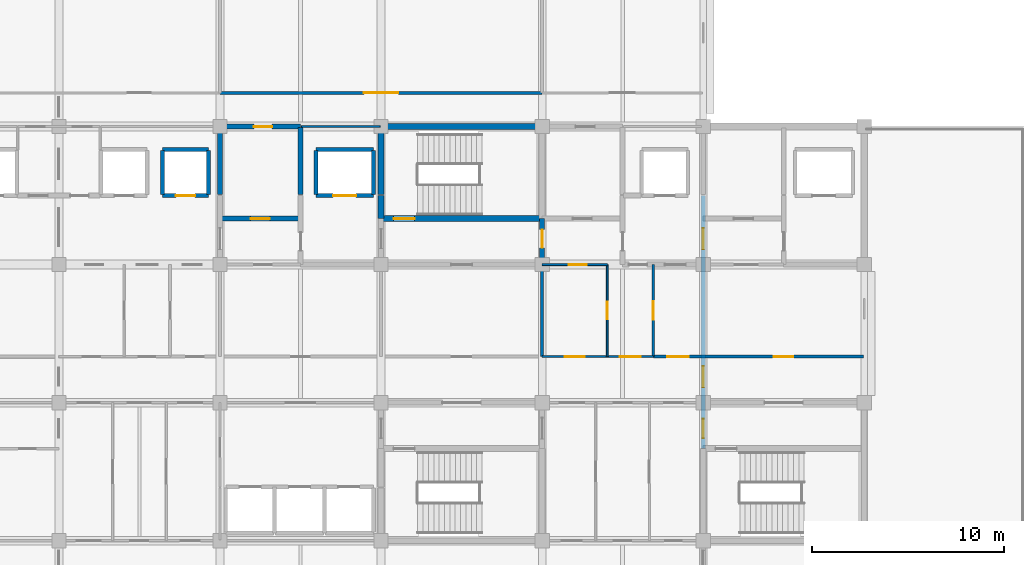
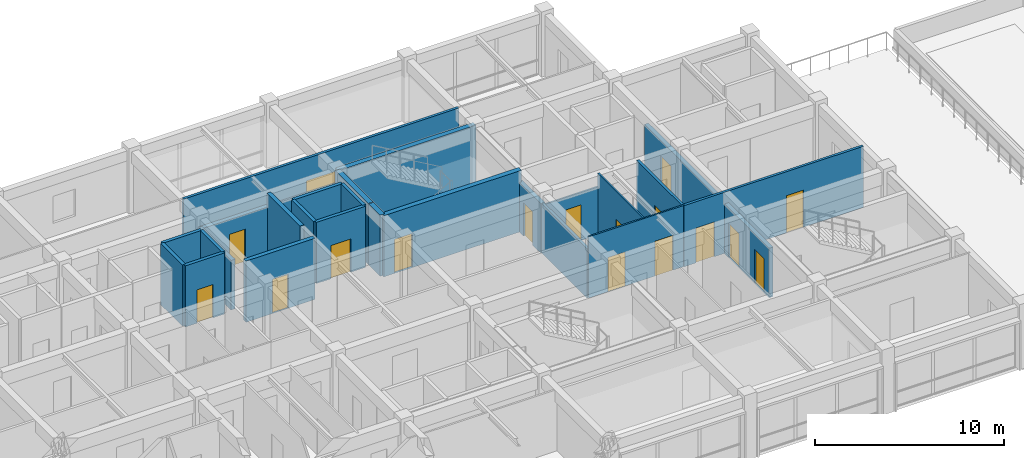
# One storey, part 21 of 27: 26 walls, 17 doors, 17 openings.
"""IFC4 building model written with IfcOpenShell, lengths in metres."""

from ifc_helpers import new_model, si_unit, direction, frame, frame_2d, origin, place, context, subcontext, project, spatial, rectangle, extrude, material, layer, layer_set, type_object, element, fill, save


model = new_model("IFC4")

# Units and contexts
model_context = context("Model", 3, precision=1e-05, world=origin(), true_north=direction((0.0, 1.0)))
body_context = subcontext(model_context, "Body", "Model", "MODEL_VIEW")
ifc_project = project(units=[si_unit("LENGTHUNIT", "METRE"), si_unit("AREAUNIT", "SQUARE_METRE"), si_unit("VOLUMEUNIT", "CUBIC_METRE"), si_unit("PLANEANGLEUNIT", "RADIAN"), si_unit("MASSUNIT", "GRAM", prefix="KILO")], contexts=[model_context])

# Site, building, storey
site_placement = place(None, origin())
site = spatial("IfcSite", under=ifc_project, at=site_placement, CompositionType="ELEMENT")
building_placement = place(site_placement, origin())
building = spatial("IfcBuilding", under=site, at=building_placement, Name="Chengyuan Square Courthouse", CompositionType="ELEMENT")
storey_placement = place(building_placement, frame((0.0, 0.0, 35.10009765625)))
storey = spatial("IfcBuildingStorey", under=building, at=storey_placement, Name="L08", CompositionType="ELEMENT", Elevation=35.10009765625)

# Wall, opening, door
ifc_material_1 = material(Name="Concrete C40", Category="concrete")
ifc_layer_1 = layer(ifc_material_1, 0.25)
ifc_layer_set_1 = layer_set([ifc_layer_1], Name="Concrete C40")
wall_type_1 = type_object("IfcWallType", Name="WL-FW1", PredefinedType="STANDARD", material=ifc_layer_set_1)
wall_1_placement = place(storey_placement, frame((92.39990234375, 103.199951171875, 0.0), z_axis=(0.0, 0.0, 1.0), x_axis=(1.0, 0.0, 0.0)))
wall_1 = element("IfcWall", 1, at=wall_1_placement, inside=storey, type_object=wall_type_1, Name="Interior Wall WL-L08-I2933", PredefinedType="STANDARD", context=body_context, shape_type="SweptSolid", body=[
    extrude(rectangle(XDim=4.2001953125, YDim=0.25, at=frame_2d((2.10009765625, 0.0))), origin(), (0.0, 0.0, 1.0), 3.949951171875),
])
opening_1_placement = place(wall_1_placement, frame((1.60009765625, 0.0, 0.0)))
opening_1 = element("IfcOpeningElement", 2, at=opening_1_placement, cuts=wall_1, Name="Opening DR-2522", PredefinedType="OPENING", context=body_context, shape_type="SweptSolid", body=[
    extrude(rectangle(XDim=1.0, YDim=2.199951171875, at=frame_2d((0.5, 1.10009765625))), frame((0.0, 0.136962890625, 0.0), z_axis=(0.0, -1.0, 0.0), x_axis=(1.0, 0.0, 0.0)), (0.0, 0.0, 1.0), 0.27392578125),
])
ifc_material_2 = material(Name="Steel Q235B Fire Door", Category="steel")
door_type_1 = type_object("IfcDoorType", Name="DT-11", OperationType="NOTDEFINED", PredefinedType="DOOR", material=ifc_material_2)
door_1_placement = place(opening_1_placement, origin())
door_1 = element("IfcDoor", 3, at=door_1_placement, inside=storey, type_object=door_type_1, Name="Interior Door DR-2522", OperationType="SINGLE_SWING_RIGHT", OverallHeight=2.199951171875, OverallWidth=1.0, PredefinedType="DOOR", context=body_context, shape_type="SweptSolid", body=[
    extrude(rectangle(XDim=1.0, YDim=2.199951171875, at=frame_2d((0.5, 1.10009765625))), frame((0.0, 0.02490234375, 0.0), z_axis=(0.0, -1.0, 0.0), x_axis=(1.0, 0.0, 0.0)), (0.0, 0.0, 1.0), 0.050048828125),
])
fill(opening_1, door_1)

wall_2_placement = place(storey_placement, frame((92.39990234375, 108.0, 0.0), z_axis=(0.0, 0.0, 1.0), x_axis=(1.0, 0.0, 0.0)))
wall_2 = element("IfcWall", 4, at=wall_2_placement, inside=storey, type_object=wall_type_1, Name="Interior Wall WL-L08-I2968", PredefinedType="STANDARD", context=body_context, shape_type="SweptSolid", body=[
    extrude(rectangle(XDim=4.2001953125, YDim=0.25, at=frame_2d((2.10009765625, 0.0))), origin(), (0.0, 0.0, 1.0), 3.099853515625),
])
opening_2_placement = place(wall_2_placement, frame((1.7724609375, 0.0, 0.0)))
opening_2 = element("IfcOpeningElement", 5, at=opening_2_placement, cuts=wall_2, Name="Opening DR-2526", PredefinedType="OPENING", context=body_context, shape_type="SweptSolid", body=[
    extrude(rectangle(XDim=0.949951171875, YDim=2.14990234375, at=frame_2d((0.47509765625, 1.074951171875))), frame((0.0, 0.136962890625, 0.0), z_axis=(0.0, -1.0, 0.0), x_axis=(1.0, 0.0, 0.0)), (0.0, 0.0, 1.0), 0.27392578125),
])
door_type_2 = type_object("IfcDoorType", Name="DT-12", OperationType="NOTDEFINED", PredefinedType="DOOR", material=ifc_material_2)
door_2_placement = place(opening_2_placement, origin())
door_2 = element("IfcDoor", 6, at=door_2_placement, inside=storey, type_object=door_type_2, Name="Interior Door DR-2526", OperationType="SINGLE_SWING_RIGHT", OverallHeight=2.14990234375, OverallWidth=0.949951171875, PredefinedType="DOOR", context=body_context, shape_type="SweptSolid", body=[
    extrude(rectangle(XDim=0.949951171875, YDim=2.14990234375, at=frame_2d((0.47509765625, 1.074951171875))), frame((0.0, 0.02490234375, 0.0), z_axis=(0.0, -1.0, 0.0), x_axis=(1.0, 0.0, 0.0)), (0.0, 0.0, 1.0), 0.050048828125),
])
fill(opening_2, door_2)

# Walls
wall_3_placement = place(storey_placement, frame((92.39990234375, 104.449951171875, 0.0), z_axis=(0.0, 0.0, 1.0), x_axis=(0.0, 1.0, 0.0)))
element("IfcWall", 7, at=wall_3_placement, inside=storey, type_object=wall_type_1, Name="Interior Wall WL-L08-I3044", PredefinedType="STANDARD", context=body_context, shape_type="SweptSolid", body=[
    extrude(rectangle(XDim=3.5, YDim=0.25, at=frame_2d((1.75, 0.0))), origin(), (0.0, 0.0, 1.0), 3.199951171875),
])
wall_4_placement = place(storey_placement, frame((96.60009765625, 104.449951171875, 0.0), z_axis=(0.0, 0.0, 1.0), x_axis=(0.0, 1.0, 0.0)))
element("IfcWall", 8, at=wall_4_placement, inside=storey, type_object=wall_type_1, Name="Interior Wall WL-L08-I3049", PredefinedType="STANDARD", context=body_context, shape_type="SweptSolid", body=[
    extrude(rectangle(XDim=3.5, YDim=0.25, at=frame_2d((1.75, 0.0))), origin(), (0.0, 0.0, 1.0), 3.949951171875),
])

# Wall, opening, door
wall_5_placement = place(storey_placement, frame((109.199951171875, 100.800048828125, 0.0), z_axis=(0.0, 0.0, 1.0), x_axis=(0.0, 1.0, 0.0)))
wall_5 = element("IfcWall", 9, at=wall_5_placement, inside=storey, type_object=wall_type_1, Name="Interior Wall WL-L08-I3065", PredefinedType="STANDARD", context=body_context, shape_type="SweptSolid", body=[
    extrude(rectangle(XDim=2.39990234375, YDim=0.25, at=frame_2d((1.199951171875, 0.0))), origin(), (0.0, 0.0, 1.0), 3.199951171875),
])
opening_3_placement = place(wall_5_placement, frame((0.87255859375, 0.0, 0.0)))
opening_3 = element("IfcOpeningElement", 10, at=opening_3_placement, cuts=wall_5, Name="Opening DR-2505", PredefinedType="OPENING", context=body_context, shape_type="SweptSolid", body=[
    extrude(rectangle(XDim=0.949951171875, YDim=2.14990234375, at=frame_2d((0.47509765625, 1.074951171875))), frame((0.0, 0.136962890625, 0.0), z_axis=(0.0, -1.0, 0.0), x_axis=(1.0, 0.0, 0.0)), (0.0, 0.0, 1.0), 0.27392578125),
])
door_3_placement = place(opening_3_placement, origin())
door_3 = element("IfcDoor", 11, at=door_3_placement, inside=storey, type_object=door_type_2, Name="Interior Door DR-2505", OperationType="SINGLE_SWING_LEFT", OverallHeight=2.14990234375, OverallWidth=0.949951171875, PredefinedType="DOOR", context=body_context, shape_type="SweptSolid", body=[
    extrude(rectangle(XDim=0.949951171875, YDim=2.14990234375, at=frame_2d((0.47509765625, 1.074951171875))), frame((0.0, 0.02490234375, 0.0), z_axis=(0.0, -1.0, 0.0), x_axis=(1.0, 0.0, 0.0)), (0.0, 0.0, 1.0), 0.050048828125),
])
fill(opening_3, door_3)

# Wall, openings, doors
wall_6_placement = place(storey_placement, frame((117.60009765625, 91.199951171875, 0.0), z_axis=(0.0, 0.0, 1.0), x_axis=(0.0, 1.0, 0.0)))
wall_6 = element("IfcWall", 12, at=wall_6_placement, inside=storey, type_object=wall_type_1, Name="Interior Wall WL-L08-I3078", PredefinedType="STANDARD", context=body_context, shape_type="SweptSolid", body=[
    extrude(rectangle(XDim=13.199951171875, YDim=0.25, at=frame_2d((6.60009765625, 0.0))), origin(), (0.0, 0.0, 1.0), 3.199951171875),
])
opening_4_placement = place(wall_6_placement, frame((0.552490234375, 0.0, 0.0)))
opening_4 = element("IfcOpeningElement", 13, at=opening_4_placement, cuts=wall_6, Name="Opening DR-2516", PredefinedType="OPENING", context=body_context, shape_type="SweptSolid", body=[
    extrude(rectangle(XDim=1.0, YDim=2.199951171875, at=frame_2d((0.5, 1.10009765625))), frame((0.0, 0.136962890625, 0.0), z_axis=(0.0, -1.0, 0.0), x_axis=(1.0, 0.0, 0.0)), (0.0, 0.0, 1.0), 0.27392578125),
])
opening_5_placement = place(wall_6_placement, frame((10.3974609375, 0.0, 0.0)))
opening_5 = element("IfcOpeningElement", 14, at=opening_5_placement, cuts=wall_6, Name="Opening DR-2533", PredefinedType="OPENING", context=body_context, shape_type="SweptSolid", body=[
    extrude(rectangle(XDim=1.10009765625, YDim=2.199951171875, at=frame_2d((0.550048828125, 1.10009765625))), frame((0.0, 0.136962890625, 0.0), z_axis=(0.0, -1.0, 0.0), x_axis=(1.0, 0.0, 0.0)), (0.0, 0.0, 1.0), 0.27392578125),
])
opening_6_placement = place(wall_6_placement, frame((3.197509765625, 0.0, 0.0)))
opening_6 = element("IfcOpeningElement", 15, at=opening_6_placement, cuts=wall_6, Name="Opening DR-2575", PredefinedType="OPENING", context=body_context, shape_type="SweptSolid", body=[
    extrude(rectangle(XDim=1.10009765625, YDim=2.199951171875, at=frame_2d((0.550048828125, 1.10009765625))), frame((0.0, 0.136962890625, 0.0), z_axis=(0.0, -1.0, 0.0), x_axis=(1.0, 0.0, 0.0)), (0.0, 0.0, 1.0), 0.27392578125),
])
door_type_3 = type_object("IfcDoorType", Name="DT-10", OperationType="NOTDEFINED", PredefinedType="DOOR", material=ifc_material_2)
door_4_placement = place(opening_5_placement, origin())
door_4 = element("IfcDoor", 16, at=door_4_placement, inside=storey, type_object=door_type_3, Name="Interior Door DR-2533", OperationType="SINGLE_SWING_LEFT", OverallHeight=2.199951171875, OverallWidth=1.10009765625, PredefinedType="DOOR", context=body_context, shape_type="SweptSolid", body=[
    extrude(rectangle(XDim=1.10009765625, YDim=2.199951171875, at=frame_2d((0.550048828125, 1.10009765625))), frame((0.0, 0.02490234375, 0.0), z_axis=(0.0, -1.0, 0.0), x_axis=(1.0, 0.0, 0.0)), (0.0, 0.0, 1.0), 0.050048828125),
])
fill(opening_5, door_4)
door_5_placement = place(opening_6_placement, origin())
door_5 = element("IfcDoor", 17, at=door_5_placement, inside=storey, type_object=door_type_3, Name="Interior Door DR-2575", OperationType="SINGLE_SWING_LEFT", OverallHeight=2.199951171875, OverallWidth=1.10009765625, PredefinedType="DOOR", context=body_context, shape_type="SweptSolid", body=[
    extrude(rectangle(XDim=1.10009765625, YDim=2.199951171875, at=frame_2d((0.550048828125, 1.10009765625))), frame((0.0, 0.02490234375, 0.0), z_axis=(0.0, -1.0, 0.0), x_axis=(1.0, 0.0, 0.0)), (0.0, 0.0, 1.0), 0.050048828125),
])
fill(opening_6, door_5)
door_6_placement = place(opening_4_placement, origin())
door_6 = element("IfcDoor", 18, at=door_6_placement, inside=storey, type_object=door_type_1, Name="Interior Door DR-2516", OperationType="SINGLE_SWING_RIGHT", OverallHeight=2.199951171875, OverallWidth=1.0, PredefinedType="DOOR", context=body_context, shape_type="SweptSolid", body=[
    extrude(rectangle(XDim=1.0, YDim=2.199951171875, at=frame_2d((0.5, 1.10009765625))), frame((0.0, 0.02490234375, 0.0), z_axis=(0.0, -1.0, 0.0), x_axis=(1.0, 0.0, 0.0)), (0.0, 0.0, 1.0), 0.050048828125),
])
fill(opening_4, door_6)

# Wall, opening, door
ifc_material_3 = material(Name="Acoustic Timber-Lined Gypsum Partition", Category="wood")
ifc_layer_2 = layer(ifc_material_3, 0.159912109375)
ifc_layer_set_2 = layer_set([ifc_layer_2], Name="Acoustic Timber-Lined Gypsum Partition")
wall_type_2 = type_object("IfcWallType", Name="WL-PT2", PredefinedType="STANDARD", material=ifc_layer_set_2)
wall_7_placement = place(storey_placement, frame((92.39990234375, 109.75, 0.0), z_axis=(0.0, 0.0, 1.0), x_axis=(1.0, 0.0, 0.0)))
wall_7 = element("IfcWall", 19, at=wall_7_placement, inside=storey, type_object=wall_type_2, Name="Interior Wall WL-L08-I2976", PredefinedType="STANDARD", context=body_context, shape_type="SweptSolid", body=[
    extrude(rectangle(XDim=16.800048828125, YDim=0.159912109375, at=frame_2d((8.39990234375, 0.0))), origin(), (0.0, 0.0, 1.0), 3.949951171875),
])
opening_7_placement = place(wall_7_placement, frame((7.5, 0.0, 0.0)))
opening_7 = element("IfcOpeningElement", 20, at=opening_7_placement, cuts=wall_7, Name="Opening DR-2620", PredefinedType="OPENING", context=body_context, shape_type="SweptSolid", body=[
    extrude(rectangle(XDim=1.800048828125, YDim=2.5, at=frame_2d((0.89990234375, 1.25))), frame((0.0, 0.092041015625, 0.0), z_axis=(0.0, -1.0, 0.0), x_axis=(1.0, 0.0, 0.0)), (0.0, 0.0, 1.0), 0.183837890625),
])
ifc_material_4 = material(Name="Acoustic Larch Veneer Double Door")
door_type_4 = type_object("IfcDoorType", Name="DT-21", OperationType="DOUBLE_DOOR_SINGLE_SWING", PredefinedType="DOOR", material=ifc_material_4)
door_7_placement = place(opening_7_placement, frame((1.800048828125, 0.0, 0.0), z_axis=(0.0, 0.0, 1.0), x_axis=(-1.0, 0.0, 0.0)))
door_7 = element("IfcDoor", 21, at=door_7_placement, inside=storey, type_object=door_type_4, Name="Interior Door DR-2620", OperationType="DOUBLE_DOOR_SINGLE_SWING", OverallHeight=2.5, OverallWidth=1.800048828125, PredefinedType="DOOR", context=body_context, shape_type="SweptSolid", body=[
    extrude(rectangle(XDim=1.800048828125, YDim=2.5, at=frame_2d((0.89990234375, 1.25))), frame((0.0, 0.02490234375, 0.0), z_axis=(0.0, -1.0, 0.0), x_axis=(1.0, 0.0, 0.0)), (0.0, 0.0, 1.0), 0.050048828125),
])
fill(opening_7, door_7)

# Wall, openings, doors
ifc_material_5 = material(Name="Deliberation Room Sound-Insulated Partition")
ifc_layer_3 = layer(ifc_material_5, 0.14990234375)
ifc_layer_set_3 = layer_set([ifc_layer_3], Name="Deliberation Room Sound-Insulated Partition")
wall_type_3 = type_object("IfcWallType", Name="WL-PT3", PredefinedType="STANDARD", material=ifc_layer_set_3)
wall_8_placement = place(storey_placement, frame((115.0, 96.0, 0.0), z_axis=(0.0, 0.0, 1.0), x_axis=(1.0, 0.0, 0.0)))
wall_8 = element("IfcWall", 22, at=wall_8_placement, inside=storey, type_object=wall_type_3, Name="Interior Wall WL-L08-I2914", PredefinedType="STANDARD", context=body_context, shape_type="SweptSolid", body=[
    extrude(rectangle(XDim=10.9599609375, YDim=0.14990234375, at=frame_2d((5.47998046875, 0.0))), origin(), (0.0, 0.0, 1.0), 3.949951171875),
])
opening_8_placement = place(wall_8_placement, frame((0.739990234375, 0.0, 0.0)))
opening_8 = element("IfcOpeningElement", 23, at=opening_8_placement, cuts=wall_8, Name="Opening DR-2583", PredefinedType="OPENING", context=body_context, shape_type="SweptSolid", body=[
    extrude(rectangle(XDim=1.1201171875, YDim=2.25, at=frame_2d((0.56005859375, 1.125))), frame((0.0, 0.0869140625, 0.0), z_axis=(0.0, -1.0, 0.0), x_axis=(1.0, 0.0, 0.0)), (0.0, 0.0, 1.0), 0.173828125),
])
opening_9_placement = place(wall_8_placement, frame((6.27001953125, 0.0, 0.0)))
opening_9 = element("IfcOpeningElement", 24, at=opening_9_placement, cuts=wall_8, Name="Opening DR-2590", PredefinedType="OPENING", context=body_context, shape_type="SweptSolid", body=[
    extrude(rectangle(XDim=1.02001953125, YDim=2.39990234375, at=frame_2d((0.510009765625, 1.199951171875))), frame((0.0, 0.0869140625, 0.0), z_axis=(0.0, -1.0, 0.0), x_axis=(1.0, 0.0, 0.0)), (0.0, 0.0, 1.0), 0.173828125),
])
ifc_material_6 = material(Name="Acoustic Solid-Core Timber Door", Category="wood")
door_type_5 = type_object("IfcDoorType", Name="DT-34", OperationType="NOTDEFINED", PredefinedType="DOOR", material=ifc_material_6)
door_8_placement = place(opening_8_placement, origin())
door_8 = element("IfcDoor", 25, at=door_8_placement, inside=storey, type_object=door_type_5, Name="Interior Door DR-2583", OperationType="SINGLE_SWING_LEFT", OverallHeight=2.25, OverallWidth=1.1201171875, PredefinedType="DOOR", context=body_context, shape_type="SweptSolid", body=[
    extrude(rectangle(XDim=1.1201171875, YDim=2.25, at=frame_2d((0.56005859375, 1.125))), frame((0.0, 0.02490234375, 0.0), z_axis=(0.0, -1.0, 0.0), x_axis=(1.0, 0.0, 0.0)), (0.0, 0.0, 1.0), 0.050048828125),
])
fill(opening_8, door_8)
door_type_6 = type_object("IfcDoorType", Name="DT-41", OperationType="NOTDEFINED", PredefinedType="DOOR", material=ifc_material_6)
door_9_placement = place(opening_9_placement, origin())
door_9 = element("IfcDoor", 26, at=door_9_placement, inside=storey, type_object=door_type_6, Name="Interior Door DR-2590", OperationType="SINGLE_SWING_RIGHT", OverallHeight=2.39990234375, OverallWidth=1.02001953125, PredefinedType="DOOR", context=body_context, shape_type="SweptSolid", body=[
    extrude(rectangle(XDim=1.02001953125, YDim=2.39990234375, at=frame_2d((0.510009765625, 1.199951171875))), frame((0.0, 0.02490234375, 0.0), z_axis=(0.0, -1.0, 0.0), x_axis=(1.0, 0.0, 0.0)), (0.0, 0.0, 1.0), 0.050048828125),
])
fill(opening_9, door_9)

# Wall
wall_9_placement = place(storey_placement, frame((109.199951171875, 96.0, 0.0), z_axis=(0.0, 0.0, 1.0), x_axis=(0.0, 1.0, 0.0)))
element("IfcWall", 27, at=wall_9_placement, inside=storey, type_object=wall_type_3, Name="Interior Wall WL-L08-I3064", PredefinedType="STANDARD", context=body_context, shape_type="SweptSolid", body=[
    extrude(rectangle(XDim=4.800048828125, YDim=0.14990234375, at=frame_2d((2.39990234375, 0.0))), origin(), (0.0, 0.0, 1.0), 3.199951171875),
])

# Wall, opening, door
wall_10_placement = place(storey_placement, frame((115.0, 96.0, 0.0), z_axis=(0.0, 0.0, 1.0), x_axis=(0.0, 1.0, 0.0)))
wall_10 = element("IfcWall", 28, at=wall_10_placement, inside=storey, type_object=wall_type_3, Name="Interior Wall WL-L08-I3074", PredefinedType="STANDARD", context=body_context, shape_type="SweptSolid", body=[
    extrude(rectangle(XDim=4.800048828125, YDim=0.14990234375, at=frame_2d((2.39990234375, 0.0))), origin(), (0.0, 0.0, 1.0), 3.949951171875),
])
opening_10_placement = place(wall_10_placement, frame((1.919921875, 0.0, 0.0)))
opening_10 = element("IfcOpeningElement", 29, at=opening_10_placement, cuts=wall_10, Name="Opening DR-2596", PredefinedType="OPENING", context=body_context, shape_type="SweptSolid", body=[
    extrude(rectangle(XDim=0.9599609375, YDim=2.199951171875, at=frame_2d((0.47998046875, 1.10009765625))), frame((0.0, 0.0869140625, 0.0), z_axis=(0.0, -1.0, 0.0), x_axis=(1.0, 0.0, 0.0)), (0.0, 0.0, 1.0), 0.173828125),
])
door_type_7 = type_object("IfcDoorType", Name="DT-30", OperationType="NOTDEFINED", PredefinedType="DOOR", material=ifc_material_6)
door_10_placement = place(opening_10_placement, origin())
door_10 = element("IfcDoor", 30, at=door_10_placement, inside=storey, type_object=door_type_7, Name="Interior Door DR-2596", OperationType="SINGLE_SWING_RIGHT", OverallHeight=2.199951171875, OverallWidth=0.9599609375, PredefinedType="DOOR", context=body_context, shape_type="SweptSolid", body=[
    extrude(rectangle(XDim=0.9599609375, YDim=2.199951171875, at=frame_2d((0.47998046875, 1.10009765625))), frame((0.0, 0.02490234375, 0.0), z_axis=(0.0, -1.0, 0.0), x_axis=(1.0, 0.0, 0.0)), (0.0, 0.0, 1.0), 0.050048828125),
])
fill(opening_10, door_10)

# Wall, openings, doors
ifc_material_7 = material(Name="Gypsum Plasterboard Acoustic Stud Partition")
ifc_layer_4 = layer(ifc_material_7, 0.10009765625)
ifc_layer_set_4 = layer_set([ifc_layer_4], Name="Gypsum Plasterboard Acoustic Stud Partition")
wall_type_4 = type_object("IfcWallType", Name="WL-PT6", PredefinedType="STANDARD", material=ifc_layer_set_4)
wall_11_placement = place(storey_placement, frame((109.199951171875, 96.0, 0.0), z_axis=(0.0, 0.0, 1.0), x_axis=(1.0, 0.0, 0.0)))
wall_11 = element("IfcWall", 31, at=wall_11_placement, inside=storey, type_object=wall_type_4, Name="Interior Wall WL-L08-I2913", PredefinedType="STANDARD", context=body_context, shape_type="SweptSolid", body=[
    extrude(rectangle(XDim=5.800048828125, YDim=0.10009765625, at=frame_2d((2.89990234375, 0.0))), origin(), (0.0, 0.0, 1.0), 3.949951171875),
])
opening_11_placement = place(wall_11_placement, frame((1.179931640625, 0.0, 0.0)))
opening_11 = element("IfcOpeningElement", 32, at=opening_11_placement, cuts=wall_11, Name="Opening DR-2581", PredefinedType="OPENING", context=body_context, shape_type="SweptSolid", body=[
    extrude(rectangle(XDim=1.0400390625, YDim=2.199951171875, at=frame_2d((0.52001953125, 1.10009765625))), frame((0.0, 0.06201171875, 0.0), z_axis=(0.0, -1.0, 0.0), x_axis=(1.0, 0.0, 0.0)), (0.0, 0.0, 1.0), 0.1240234375),
])
opening_12_placement = place(wall_11_placement, frame((4.06005859375, 0.0, 0.0)))
opening_12 = element("IfcOpeningElement", 33, at=opening_12_placement, cuts=wall_11, Name="Opening DR-2582", PredefinedType="OPENING", context=body_context, shape_type="SweptSolid", body=[
    extrude(rectangle(XDim=1.080078125, YDim=2.25, at=frame_2d((0.5400390625, 1.125))), frame((0.0, 0.06201171875, 0.0), z_axis=(0.0, -1.0, 0.0), x_axis=(1.0, 0.0, 0.0)), (0.0, 0.0, 1.0), 0.1240234375),
])
door_type_8 = type_object("IfcDoorType", Name="DT-32", OperationType="NOTDEFINED", PredefinedType="DOOR", material=ifc_material_6)
door_11_placement = place(opening_11_placement, origin())
door_11 = element("IfcDoor", 34, at=door_11_placement, inside=storey, type_object=door_type_8, Name="Interior Door DR-2581", OperationType="SINGLE_SWING_LEFT", OverallHeight=2.199951171875, OverallWidth=1.0400390625, PredefinedType="DOOR", context=body_context, shape_type="SweptSolid", body=[
    extrude(rectangle(XDim=1.0400390625, YDim=2.199951171875, at=frame_2d((0.52001953125, 1.10009765625))), frame((0.0, 0.02490234375, 0.0), z_axis=(0.0, -1.0, 0.0), x_axis=(1.0, 0.0, 0.0)), (0.0, 0.0, 1.0), 0.050048828125),
])
fill(opening_11, door_11)
door_type_9 = type_object("IfcDoorType", Name="DT-33", OperationType="NOTDEFINED", PredefinedType="DOOR", material=ifc_material_6)
door_12_placement = place(opening_12_placement, origin())
door_12 = element("IfcDoor", 35, at=door_12_placement, inside=storey, type_object=door_type_9, Name="Interior Door DR-2582", OperationType="SINGLE_SWING_RIGHT", OverallHeight=2.25, OverallWidth=1.080078125, PredefinedType="DOOR", context=body_context, shape_type="SweptSolid", body=[
    extrude(rectangle(XDim=1.080078125, YDim=2.25, at=frame_2d((0.5400390625, 1.125))), frame((0.0, 0.02490234375, 0.0), z_axis=(0.0, -1.0, 0.0), x_axis=(1.0, 0.0, 0.0)), (0.0, 0.0, 1.0), 0.050048828125),
])
fill(opening_12, door_12)

# Wall, opening, door
wall_12_placement = place(storey_placement, frame((109.199951171875, 100.800048828125, 0.0), z_axis=(0.0, 0.0, 1.0), x_axis=(1.0, 0.0, 0.0)))
wall_12 = element("IfcWall", 36, at=wall_12_placement, inside=storey, type_object=wall_type_4, Name="Interior Wall WL-L08-I2925", PredefinedType="STANDARD", context=body_context, shape_type="SweptSolid", body=[
    extrude(rectangle(XDim=3.400146484375, YDim=0.10009765625, at=frame_2d((1.7001953125, 0.0))), origin(), (0.0, 0.0, 1.0), 3.099853515625),
])
opening_13_placement = place(wall_12_placement, frame((1.37744140625, 0.0, 0.0)))
opening_13 = element("IfcOpeningElement", 37, at=opening_13_placement, cuts=wall_12, Name="Opening DR-2554", PredefinedType="OPENING", context=body_context, shape_type="SweptSolid", body=[
    extrude(rectangle(XDim=0.93994140625, YDim=2.300048828125, at=frame_2d((0.469970703125, 1.14990234375))), frame((0.0, 0.06201171875, 0.0), z_axis=(0.0, -1.0, 0.0), x_axis=(1.0, 0.0, 0.0)), (0.0, 0.0, 1.0), 0.1240234375),
])
door_type_10 = type_object("IfcDoorType", Name="DT-39", OperationType="NOTDEFINED", PredefinedType="DOOR", material=ifc_material_6)
door_13_placement = place(opening_13_placement, origin())
door_13 = element("IfcDoor", 38, at=door_13_placement, inside=storey, type_object=door_type_10, Name="Interior Door DR-2554", OperationType="SINGLE_SWING_LEFT", OverallHeight=2.300048828125, OverallWidth=0.93994140625, PredefinedType="DOOR", context=body_context, shape_type="SweptSolid", body=[
    extrude(rectangle(XDim=0.93994140625, YDim=2.300048828125, at=frame_2d((0.469970703125, 1.14990234375))), frame((0.0, 0.02490234375, 0.0), z_axis=(0.0, -1.0, 0.0), x_axis=(1.0, 0.0, 0.0)), (0.0, 0.0, 1.0), 0.050048828125),
])
fill(opening_13, door_13)

# Wall
wall_13_placement = place(storey_placement, frame((96.64990234375, 108.0, 0.0), z_axis=(0.0, 0.0, 1.0), x_axis=(1.0, 0.0, 0.0)))
element("IfcWall", 39, at=wall_13_placement, inside=storey, type_object=wall_type_4, Name="Interior Wall WL-L08-I2969", PredefinedType="STANDARD", context=body_context, shape_type="SweptSolid", body=[
    extrude(rectangle(XDim=4.10009765625, YDim=0.10009765625, at=frame_2d((2.050048828125, 0.0))), origin(), (0.0, 0.0, 1.0), 3.099853515625),
])

# Wall, opening, door
wall_14_placement = place(storey_placement, frame((112.60009765625, 96.0, 0.0), z_axis=(0.0, 0.0, 1.0), x_axis=(0.0, 1.0, 0.0)))
wall_14 = element("IfcWall", 40, at=wall_14_placement, inside=storey, type_object=wall_type_4, Name="Interior Wall WL-L08-I3069", PredefinedType="STANDARD", context=body_context, shape_type="SweptSolid", body=[
    extrude(rectangle(XDim=4.800048828125, YDim=0.10009765625, at=frame_2d((2.39990234375, 0.0))), origin(), (0.0, 0.0, 1.0), 3.949951171875),
])
opening_14_placement = place(wall_14_placement, frame((1.93994140625, 0.0, 0.0)))
opening_14 = element("IfcOpeningElement", 41, at=opening_14_placement, cuts=wall_14, Name="Opening DR-2595", PredefinedType="OPENING", context=body_context, shape_type="SweptSolid", body=[
    extrude(rectangle(XDim=0.919921875, YDim=2.14990234375, at=frame_2d((0.4599609375, 1.074951171875))), frame((0.0, 0.06201171875, 0.0), z_axis=(0.0, -1.0, 0.0), x_axis=(1.0, 0.0, 0.0)), (0.0, 0.0, 1.0), 0.1240234375),
])
door_type_11 = type_object("IfcDoorType", Name="DT-29", OperationType="NOTDEFINED", PredefinedType="DOOR", material=ifc_material_6)
door_14_placement = place(opening_14_placement, origin())
door_14 = element("IfcDoor", 42, at=door_14_placement, inside=storey, type_object=door_type_11, Name="Interior Door DR-2595", OperationType="SINGLE_SWING_LEFT", OverallHeight=2.14990234375, OverallWidth=0.919921875, PredefinedType="DOOR", context=body_context, shape_type="SweptSolid", body=[
    extrude(rectangle(XDim=0.919921875, YDim=2.14990234375, at=frame_2d((0.4599609375, 1.074951171875))), frame((0.0, 0.02490234375, 0.0), z_axis=(0.0, -1.0, 0.0), x_axis=(1.0, 0.0, 0.0)), (0.0, 0.0, 1.0), 0.050048828125),
])
fill(opening_14, door_14)

ifc_material_8 = material(Name="Reinforced Masonry Shaft Enclosure", Category="masonry")
ifc_layer_5 = layer(ifc_material_8, 0.199951171875)
ifc_layer_set_5 = layer_set([ifc_layer_5], Name="Reinforced Masonry Shaft Enclosure")
wall_type_5 = type_object("IfcWallType", Name="WL-SH1", PredefinedType="STANDARD", material=ifc_layer_set_5)
wall_15_placement = place(storey_placement, frame((89.39990234375, 104.39990234375, 0.0), z_axis=(0.0, 0.0, 1.0), x_axis=(1.0, 0.0, 0.0)))
wall_15 = element("IfcWall", 43, at=wall_15_placement, inside=storey, type_object=wall_type_5, Name="Interior Wall WL-L08-I2945", PredefinedType="STANDARD", context=body_context, shape_type="SweptSolid", body=[
    extrude(rectangle(XDim=2.400146484375, YDim=0.199951171875, at=frame_2d((1.2001953125, 0.0))), origin(), (0.0, 0.0, 1.0), 3.949951171875),
])
opening_15_placement = place(wall_15_placement, frame((0.699951171875, 0.0, 0.0)))
opening_15 = element("IfcOpeningElement", 44, at=opening_15_placement, cuts=wall_15, Name="Opening LD-140", PredefinedType="OPENING", context=body_context, shape_type="SweptSolid", body=[
    extrude(rectangle(XDim=1.0, YDim=2.14990234375, at=frame_2d((0.5, 1.074951171875))), frame((0.0, 0.112060546875, 0.0), z_axis=(0.0, -1.0, 0.0), x_axis=(1.0, 0.0, 0.0)), (0.0, 0.0, 1.0), 0.223876953125),
])
ifc_material_9 = material(Name="Stainless Steel S30408 Lift Landing Door", Category="steel")
door_type_12 = type_object("IfcDoorType", Name="DT-07", OperationType="DOUBLE_DOOR_SLIDING", PredefinedType="DOOR", material=ifc_material_9)
door_15_placement = place(opening_15_placement, origin())
door_15 = element("IfcDoor", 45, at=door_15_placement, inside=storey, type_object=door_type_12, Name="Lift Landing Door LF-J4 L08", OperationType="DOUBLE_DOOR_SLIDING", OverallHeight=2.14990234375, OverallWidth=1.0, PredefinedType="DOOR", context=body_context, shape_type="SweptSolid", body=[
    extrude(rectangle(XDim=1.0, YDim=2.14990234375, at=frame_2d((0.5, 1.074951171875))), frame((0.0, 0.02490234375, 0.0), z_axis=(0.0, -1.0, 0.0), x_axis=(1.0, 0.0, 0.0)), (0.0, 0.0, 1.0), 0.050048828125),
])
fill(opening_15, door_15)

wall_16_placement = place(storey_placement, frame((97.39990234375, 104.39990234375, 0.0), z_axis=(0.0, 0.0, 1.0), x_axis=(1.0, 0.0, 0.0)))
wall_16 = element("IfcWall", 46, at=wall_16_placement, inside=storey, type_object=wall_type_5, Name="Interior Wall WL-L08-I2946", PredefinedType="STANDARD", context=body_context, shape_type="SweptSolid", body=[
    extrude(rectangle(XDim=3.0, YDim=0.199951171875, at=frame_2d((1.5, 0.0))), origin(), (0.0, 0.0, 1.0), 3.949951171875),
])
opening_16_placement = place(wall_16_placement, frame((0.89990234375, 0.0, 0.0)))
opening_16 = element("IfcOpeningElement", 47, at=opening_16_placement, cuts=wall_16, Name="Opening LD-134", PredefinedType="OPENING", context=body_context, shape_type="SweptSolid", body=[
    extrude(rectangle(XDim=1.199951171875, YDim=2.14990234375, at=frame_2d((0.60009765625, 1.074951171875))), frame((0.0, 0.112060546875, 0.0), z_axis=(0.0, -1.0, 0.0), x_axis=(1.0, 0.0, 0.0)), (0.0, 0.0, 1.0), 0.223876953125),
])
door_type_13 = type_object("IfcDoorType", Name="DT-05", OperationType="DOUBLE_DOOR_SLIDING", PredefinedType="DOOR", material=ifc_material_9)
door_16_placement = place(opening_16_placement, origin())
door_16 = element("IfcDoor", 48, at=door_16_placement, inside=storey, type_object=door_type_13, Name="Lift Landing Door LF-F2 L08", OperationType="DOUBLE_DOOR_SLIDING", OverallHeight=2.14990234375, OverallWidth=1.199951171875, PredefinedType="DOOR", context=body_context, shape_type="SweptSolid", body=[
    extrude(rectangle(XDim=1.199951171875, YDim=2.14990234375, at=frame_2d((0.60009765625, 1.074951171875))), frame((0.0, 0.02490234375, 0.0), z_axis=(0.0, -1.0, 0.0), x_axis=(1.0, 0.0, 0.0)), (0.0, 0.0, 1.0), 0.050048828125),
])
fill(opening_16, door_16)

# Walls
wall_17_placement = place(storey_placement, frame((89.39990234375, 106.800048828125, 0.0), z_axis=(0.0, 0.0, 1.0), x_axis=(1.0, 0.0, 0.0)))
element("IfcWall", 49, at=wall_17_placement, inside=storey, type_object=wall_type_5, Name="Interior Wall WL-L08-I2956", PredefinedType="STANDARD", context=body_context, shape_type="SweptSolid", body=[
    extrude(rectangle(XDim=2.400146484375, YDim=0.199951171875, at=frame_2d((1.2001953125, 0.0))), origin(), (0.0, 0.0, 1.0), 3.949951171875),
])
wall_18_placement = place(storey_placement, frame((97.39990234375, 106.800048828125, 0.0), z_axis=(0.0, 0.0, 1.0), x_axis=(1.0, 0.0, 0.0)))
element("IfcWall", 50, at=wall_18_placement, inside=storey, type_object=wall_type_5, Name="Interior Wall WL-L08-I2957", PredefinedType="STANDARD", context=body_context, shape_type="SweptSolid", body=[
    extrude(rectangle(XDim=3.0, YDim=0.199951171875, at=frame_2d((1.5, 0.0))), origin(), (0.0, 0.0, 1.0), 3.949951171875),
])
for number, where, z_axis, x_axis, name in (
    (51, (89.39990234375, 104.449951171875, 0.0), (0.0, 0.0, 1.0), (0.0, 1.0, 0.0), "Interior Wall WL-L08-I3036"),
    (52, (91.800048828125, 104.449951171875, 0.0), (0.0, 0.0, 1.0), (0.0, 1.0, 0.0), "Interior Wall WL-L08-I3039"),
    (53, (97.39990234375, 104.449951171875, 0.0), (0.0, 0.0, 1.0), (0.0, 1.0, 0.0), "Interior Wall WL-L08-I3050"),
    (54, (100.39990234375, 104.449951171875, 0.0), (0.0, 0.0, 1.0), (0.0, 1.0, 0.0), "Interior Wall WL-L08-I3053"),
):
    element("IfcWall", number, at=place(storey_placement, frame(where, z_axis=z_axis, x_axis=x_axis)), inside=storey, type_object=wall_type_5, Name=name, PredefinedType="STANDARD", context=body_context, shape_type="SweptSolid", body=[
        extrude(rectangle(XDim=2.300048828125, YDim=0.199951171875, at=frame_2d((1.14990234375, 0.0))), origin(), (0.0, 0.0, 1.0), 3.949951171875),
    ])

# Wall, opening, door
ifc_layer_6 = layer(ifc_material_1, 0.300048828125)
ifc_layer_set_6 = layer_set([ifc_layer_6], Name="Concrete C40")
wall_type_6 = type_object("IfcWallType", Name="WL-SW2", PredefinedType="SHEAR", material=ifc_layer_set_6)
wall_19_placement = place(storey_placement, frame((100.800048828125, 103.199951171875, 0.0), z_axis=(0.0, 0.0, 1.0), x_axis=(1.0, 0.0, 0.0)))
wall_19 = element("IfcWall", 55, at=wall_19_placement, inside=storey, type_object=wall_type_6, Name="Interior Wall WL-L08-I2934", PredefinedType="SHEAR", context=body_context, shape_type="SweptSolid", body=[
    extrude(rectangle(XDim=8.39990234375, YDim=0.300048828125, at=frame_2d((4.199951171875, 0.0))), origin(), (0.0, 0.0, 1.0), 3.949951171875),
])
opening_17_placement = place(wall_19_placement, frame((0.64990234375, 0.0, 0.0)))
opening_17 = element("IfcOpeningElement", 56, at=opening_17_placement, cuts=wall_19, Name="Opening DR-2496", PredefinedType="OPENING", context=body_context, shape_type="SweptSolid", body=[
    extrude(rectangle(XDim=1.10009765625, YDim=2.199951171875, at=frame_2d((0.550048828125, 1.10009765625))), frame((0.0, 0.162109375, 0.0), z_axis=(0.0, -1.0, 0.0), x_axis=(1.0, 0.0, 0.0)), (0.0, 0.0, 1.0), 0.323974609375),
])
door_17_placement = place(opening_17_placement, origin())
door_17 = element("IfcDoor", 57, at=door_17_placement, inside=storey, type_object=door_type_3, Name="Smoke-Proof Stairwell Fire Door ST-2 DR-2496", OperationType="SINGLE_SWING_RIGHT", OverallHeight=2.199951171875, OverallWidth=1.10009765625, PredefinedType="DOOR", context=body_context, shape_type="SweptSolid", body=[
    extrude(rectangle(XDim=1.10009765625, YDim=2.199951171875, at=frame_2d((0.550048828125, 1.10009765625))), frame((0.0, 0.02490234375, 0.0), z_axis=(0.0, -1.0, 0.0), x_axis=(1.0, 0.0, 0.0)), (0.0, 0.0, 1.0), 0.050048828125),
])
fill(opening_17, door_17)

# Walls
wall_20_placement = place(storey_placement, frame((100.800048828125, 108.0, 0.0), z_axis=(0.0, 0.0, 1.0), x_axis=(1.0, 0.0, 0.0)))
element("IfcWall", 58, at=wall_20_placement, inside=storey, type_object=wall_type_6, Name="Interior Wall WL-L08-I2970", PredefinedType="SHEAR", context=body_context, shape_type="SweptSolid", body=[
    extrude(rectangle(XDim=8.39990234375, YDim=0.300048828125, at=frame_2d((4.199951171875, 0.0))), origin(), (0.0, 0.0, 1.0), 3.949951171875),
])
wall_21_placement = place(storey_placement, frame((100.800048828125, 103.199951171875, 0.0), z_axis=(0.0, 0.0, 1.0), x_axis=(0.0, 1.0, 0.0)))
element("IfcWall", 59, at=wall_21_placement, inside=storey, type_object=wall_type_6, Name="Interior Wall WL-L08-I3060", PredefinedType="SHEAR", context=body_context, shape_type="SweptSolid", body=[
    extrude(rectangle(XDim=1.199951171875, YDim=0.300048828125, at=frame_2d((0.60009765625, 0.0))), origin(), (0.0, 0.0, 1.0), 3.949951171875),
])
wall_22_placement = place(storey_placement, frame((100.800048828125, 104.449951171875, 0.0), z_axis=(0.0, 0.0, 1.0), x_axis=(0.0, 1.0, 0.0)))
element("IfcWall", 60, at=wall_22_placement, inside=storey, type_object=wall_type_6, Name="Interior Wall WL-L08-I3061", PredefinedType="SHEAR", context=body_context, shape_type="SweptSolid", body=[
    extrude(rectangle(XDim=3.5, YDim=0.300048828125, at=frame_2d((1.75, 0.0))), origin(), (0.0, 0.0, 1.0), 3.949951171875),
])

save(model, "model.ifc")
